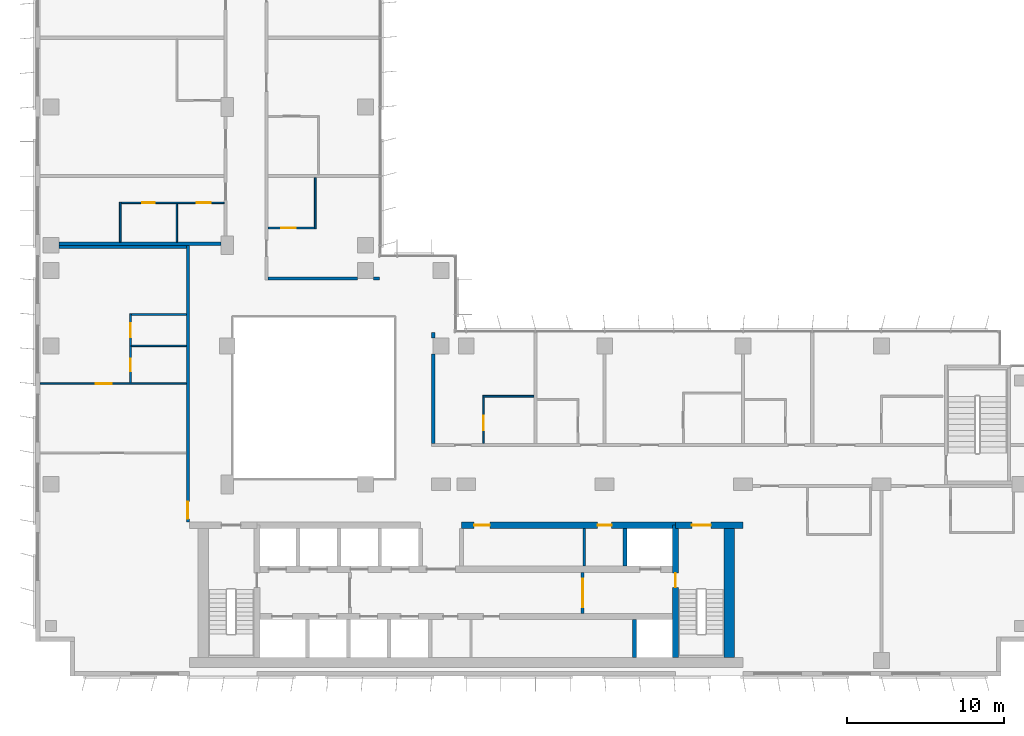
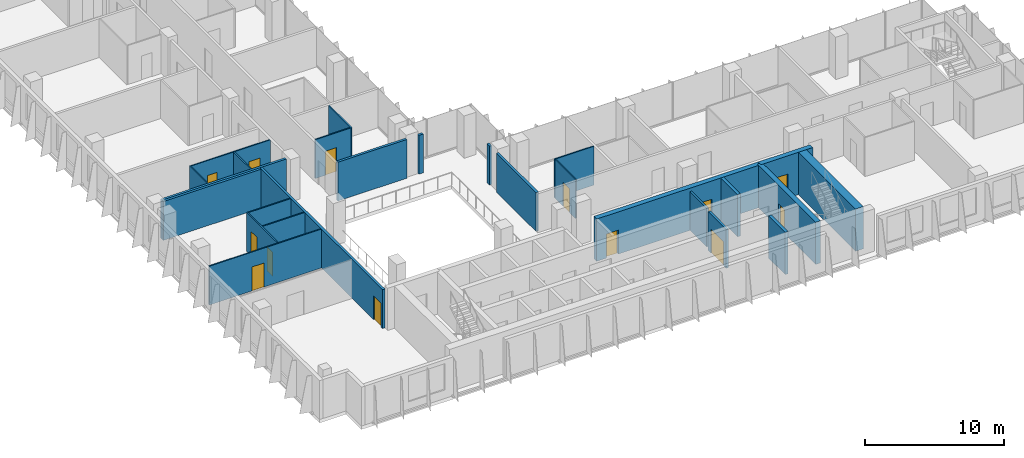
# One storey, part 13 of 20: 26 walls, 13 doors, 13 openings.
"""IFC4 building model written with IfcOpenShell, lengths in metres."""

from ifc_helpers import new_model, si_unit, direction, frame, frame_2d, origin, place, context, subcontext, project, spatial, rectangle, extrude, material, layer, layer_set, type_object, element, fill, save


model = new_model("IFC4")

# Units and contexts
model_context = context("Model", 3, precision=1e-05, world=origin(), true_north=direction((0.0, 1.0)))
body_context = subcontext(model_context, "Body", "Model", "MODEL_VIEW")
ifc_project = project(units=[si_unit("LENGTHUNIT", "METRE"), si_unit("AREAUNIT", "SQUARE_METRE"), si_unit("VOLUMEUNIT", "CUBIC_METRE"), si_unit("PLANEANGLEUNIT", "RADIAN"), si_unit("MASSUNIT", "GRAM", prefix="KILO")], contexts=[model_context])

# Site, building, storey
site_placement = place(None, origin())
site = spatial("IfcSite", under=ifc_project, at=site_placement, CompositionType="ELEMENT")
building_placement = place(site_placement, origin())
building = spatial("IfcBuilding", under=site, at=building_placement, Name="Kemantara Hotel Tower", CompositionType="ELEMENT")
storey_placement = place(building_placement, frame((0.0, 0.0, 186.39990234375)))
storey = spatial("IfcBuildingStorey", under=building, at=storey_placement, Name="L46", CompositionType="ELEMENT", Elevation=186.39990234375)

# Walls
ifc_material_1 = material(Name="Concrete fc 60 MPa", Category="concrete")
ifc_layer_1 = layer(ifc_material_1, 0.25)
ifc_layer_set_1 = layer_set([ifc_layer_1], Name="Concrete fc 60 MPa")
wall_type_1 = type_object("IfcWallType", Name="CORE WALL 250 FC60", PredefinedType="SHEAR", material=ifc_layer_set_1)
wall_1_placement = place(storey_placement, frame((38.10009765625, 1.199951171875, 0.0), z_axis=(0.0, 0.0, 1.0), x_axis=(0.0, 1.0, 0.0)))
element("IfcWall", 1, at=wall_1_placement, inside=storey, type_object=wall_type_1, Name="CORE WALL CW-DS38.1", PredefinedType="SHEAR", context=body_context, shape_type="SweptSolid", body=[
    extrude(rectangle(XDim=2.400146484375, YDim=0.25, at=frame_2d((1.2001953125, 0.0))), origin(), (0.0, 0.0, 1.0), 3.7001953125),
])
wall_2_placement = place(storey_placement, frame((37.5, 7.0, 0.0), z_axis=(0.0, 0.0, 1.0), x_axis=(0.0, 1.0, 0.0)))
element("IfcWall", 2, at=wall_2_placement, inside=storey, type_object=wall_type_1, Name="CORE WALL CW-DN37.5", PredefinedType="SHEAR", context=body_context, shape_type="SweptSolid", body=[
    extrude(rectangle(XDim=2.39990234375, YDim=0.25, at=frame_2d((1.199951171875, 0.0))), origin(), (0.0, 0.0, 1.0), 3.7001953125),
])

# Wall, opening, door
ifc_layer_2 = layer(ifc_material_1, 0.39990234375)
ifc_layer_set_2 = layer_set([ifc_layer_2], Name="Concrete fc 60 MPa")
wall_type_2 = type_object("IfcWallType", Name="CORE WALL 400 FC60", PredefinedType="SHEAR", material=ifc_layer_set_2)
wall_3_placement = place(storey_placement, frame((40.699951171875, 9.60009765625, 0.0), z_axis=(0.0, 0.0, 1.0), x_axis=(1.0, 0.0, 0.0)))
wall_3 = element("IfcWall", 3, at=wall_3_placement, inside=storey, type_object=wall_type_2, Name="CORE WALL CW-N2", PredefinedType="SHEAR", context=body_context, shape_type="SweptSolid", body=[
    extrude(rectangle(XDim=4.300048828125, YDim=0.39990234375, at=frame_2d((2.14990234375, 0.0))), origin(), (0.0, 0.0, 1.0), 3.7001953125),
])
opening_1_placement = place(wall_3_placement, frame((1.050048828125, 0.0, 0.0)))
opening_1 = element("IfcOpeningElement", 4, at=opening_1_placement, cuts=wall_3, Name="Opening C27-ST2-C", PredefinedType="OPENING", context=body_context, shape_type="SweptSolid", body=[
    extrude(rectangle(XDim=1.199951171875, YDim=2.10009765625, at=frame_2d((0.60009765625, 1.050048828125))), frame((0.0, 0.2099609375, 0.0), z_axis=(0.0, -1.0, 0.0), x_axis=(1.0, 0.0, 0.0)), (0.0, 0.0, 1.0), 0.419921875),
])
ifc_material_2 = material(Name="Steel fire door", Category="steel")
door_type_1 = type_object("IfcDoorType", Name="Fire door FD90 1200 x 2100", OperationType="NOTDEFINED", PredefinedType="DOOR", material=ifc_material_2)
door_1_placement = place(opening_1_placement, frame((1.199951171875, 0.0, 0.0), z_axis=(0.0, 0.0, 1.0), x_axis=(-1.0, 0.0, 0.0)))
door_1 = element("IfcDoor", 5, at=door_1_placement, inside=storey, type_object=door_type_1, Name="Stair ST2 door to corridor", OperationType="SINGLE_SWING_RIGHT", OverallHeight=2.10009765625, OverallWidth=1.199951171875, PredefinedType="DOOR", context=body_context, shape_type="SweptSolid", body=[
    extrude(rectangle(XDim=1.199951171875, YDim=2.10009765625, at=frame_2d((0.60009765625, 1.050048828125))), frame((0.0, 0.02490234375, 0.0), z_axis=(0.0, -1.0, 0.0), x_axis=(1.0, 0.0, 0.0)), (0.0, 0.0, 1.0), 0.050048828125),
])
fill(opening_1, door_1)

# Wall, openings, doors
wall_4_placement = place(storey_placement, frame((27.10009765625, 9.60009765625, 0.0), z_axis=(0.0, 0.0, 1.0), x_axis=(1.0, 0.0, 0.0)))
wall_4 = element("IfcWall", 6, at=wall_4_placement, inside=storey, type_object=wall_type_2, Name="CORE WALL CW-NN2", PredefinedType="SHEAR", context=body_context, shape_type="SweptSolid", body=[
    extrude(rectangle(XDim=13.599853515625, YDim=0.39990234375, at=frame_2d((6.7998046875, 0.0))), origin(), (0.0, 0.0, 1.0), 3.7001953125),
])
opening_2_placement = place(wall_4_placement, frame((0.800048828125, 0.0, 0.0)))
opening_2 = element("IfcOpeningElement", 7, at=opening_2_placement, cuts=wall_4, Name="Opening C27-R-NE1", PredefinedType="OPENING", context=body_context, shape_type="SweptSolid", body=[
    extrude(rectangle(XDim=1.0, YDim=2.10009765625, at=frame_2d((0.5, 1.050048828125))), frame((0.0, 0.2099609375, 0.0), z_axis=(0.0, -1.0, 0.0), x_axis=(1.0, 0.0, 0.0)), (0.0, 0.0, 1.0), 0.419921875),
])
opening_3_placement = place(wall_4_placement, frame((8.64990234375, 0.0, 0.0)))
opening_3 = element("IfcOpeningElement", 8, at=opening_3_placement, cuts=wall_4, Name="Opening C27-R-NE2", PredefinedType="OPENING", context=body_context, shape_type="SweptSolid", body=[
    extrude(rectangle(XDim=0.89990234375, YDim=2.10009765625, at=frame_2d((0.449951171875, 1.050048828125))), frame((0.0, 0.2099609375, 0.0), z_axis=(0.0, -1.0, 0.0), x_axis=(1.0, 0.0, 0.0)), (0.0, 0.0, 1.0), 0.419921875),
])
door_type_2 = type_object("IfcDoorType", Name="Fire door FD30S 1000 x 2100", OperationType="NOTDEFINED", PredefinedType="DOOR", material=ifc_material_2)
door_2_placement = place(opening_2_placement, frame((1.0, 0.0, 0.0), z_axis=(0.0, 0.0, 1.0), x_axis=(-1.0, 0.0, 0.0)))
door_2 = element("IfcDoor", 9, at=door_2_placement, inside=storey, type_object=door_type_2, Name="Housekeeping Store door", OperationType="SINGLE_SWING_RIGHT", OverallHeight=2.10009765625, OverallWidth=1.0, PredefinedType="DOOR", context=body_context, shape_type="SweptSolid", body=[
    extrude(rectangle(XDim=1.0, YDim=2.10009765625, at=frame_2d((0.5, 1.050048828125))), frame((0.0, 0.02490234375, 0.0), z_axis=(0.0, -1.0, 0.0), x_axis=(1.0, 0.0, 0.0)), (0.0, 0.0, 1.0), 0.050048828125),
])
fill(opening_2, door_2)
door_type_3 = type_object("IfcDoorType", Name="Fire door FD60 900 x 2100", OperationType="NOTDEFINED", PredefinedType="DOOR", material=ifc_material_2)
door_3_placement = place(opening_3_placement, frame((0.89990234375, 0.0, 0.0), z_axis=(0.0, 0.0, 1.0), x_axis=(-1.0, 0.0, 0.0)))
door_3 = element("IfcDoor", 10, at=door_3_placement, inside=storey, type_object=door_type_3, Name="It Equipment Room door", OperationType="SINGLE_SWING_LEFT", OverallHeight=2.10009765625, OverallWidth=0.89990234375, PredefinedType="DOOR", context=body_context, shape_type="SweptSolid", body=[
    extrude(rectangle(XDim=0.89990234375, YDim=2.10009765625, at=frame_2d((0.449951171875, 1.050048828125))), frame((0.0, 0.02490234375, 0.0), z_axis=(0.0, -1.0, 0.0), x_axis=(1.0, 0.0, 0.0)), (0.0, 0.0, 1.0), 0.050048828125),
])
fill(opening_3, door_3)

# Wall, opening, door
wall_5_placement = place(storey_placement, frame((40.699951171875, 1.199951171875, 0.0), z_axis=(0.0, 0.0, 1.0), x_axis=(0.0, 1.0, 0.0)))
wall_5 = element("IfcWall", 11, at=wall_5_placement, inside=storey, type_object=wall_type_2, Name="CORE WALL CW-ST2W", PredefinedType="SHEAR", context=body_context, shape_type="SweptSolid", body=[
    extrude(rectangle(XDim=8.400146484375, YDim=0.39990234375, at=frame_2d((4.2001953125, 0.0))), origin(), (0.0, 0.0, 1.0), 3.7001953125),
])
opening_4_placement = place(wall_5_placement, frame((4.449951171875, 0.0, 0.0)))
opening_4 = element("IfcOpeningElement", 12, at=opening_4_placement, cuts=wall_5, Name="Opening C27-ST2-F", PredefinedType="OPENING", context=body_context, shape_type="SweptSolid", body=[
    extrude(rectangle(XDim=0.89990234375, YDim=2.10009765625, at=frame_2d((0.449951171875, 1.050048828125))), frame((0.0, 0.2099609375, 0.0), z_axis=(0.0, -1.0, 0.0), x_axis=(1.0, 0.0, 0.0)), (0.0, 0.0, 1.0), 0.419921875),
])
door_type_4 = type_object("IfcDoorType", Name="Fire door FD90 900 x 2100", OperationType="NOTDEFINED", PredefinedType="DOOR", material=ifc_material_2)
door_4_placement = place(opening_4_placement, frame((0.89990234375, 0.0, 0.0), z_axis=(0.0, 0.0, 1.0), x_axis=(-1.0, 0.0, 0.0)))
door_4 = element("IfcDoor", 13, at=door_4_placement, inside=storey, type_object=door_type_4, Name="Stair ST2 door to firefighting lobby", OperationType="SINGLE_SWING_LEFT", OverallHeight=2.10009765625, OverallWidth=0.89990234375, PredefinedType="DOOR", context=body_context, shape_type="SweptSolid", body=[
    extrude(rectangle(XDim=0.89990234375, YDim=2.10009765625, at=frame_2d((0.449951171875, 1.050048828125))), frame((0.0, 0.02490234375, 0.0), z_axis=(0.0, -1.0, 0.0), x_axis=(1.0, 0.0, 0.0)), (0.0, 0.0, 1.0), 0.050048828125),
])
fill(opening_4, door_4)

# Wall
ifc_layer_3 = layer(ifc_material_1, 0.64990234375)
ifc_layer_set_3 = layer_set([ifc_layer_3], Name="Concrete fc 60 MPa")
wall_type_3 = type_object("IfcWallType", Name="CORE WALL 650 FC60", PredefinedType="SHEAR", material=ifc_layer_set_3)
wall_6_placement = place(storey_placement, frame((44.125, 1.199951171875, 0.0), z_axis=(0.0, 0.0, 1.0), x_axis=(0.0, 1.0, 0.0)))
element("IfcWall", 14, at=wall_6_placement, inside=storey, type_object=wall_type_3, Name="CORE WALL CW-E", PredefinedType="SHEAR", context=body_context, shape_type="SweptSolid", body=[
    extrude(rectangle(XDim=8.60009765625, YDim=0.64990234375, at=frame_2d((4.300048828125, 0.0))), origin(), (0.0, 0.0, 1.0), 3.7001953125),
])

# Wall, opening, door
ifc_material_3 = material(Name="Gypsum board partition, steel studs and mineral wool, 200 mm", Category="steel")
ifc_layer_4 = layer(ifc_material_3, 0.199951171875)
ifc_layer_set_4 = layer_set([ifc_layer_4], Name="Gypsum board partition, steel studs and mineral wool, 200 mm")
wall_type_4 = type_object("IfcWallType", Name="CORRIDOR WALL 200", PredefinedType="PARTITIONING", material=ifc_layer_set_4)
wall_7_placement = place(storey_placement, frame((9.699951171875, 9.800048828125, 0.0), z_axis=(0.0, 0.0, 1.0), x_axis=(0.0, 1.0, 0.0)))
wall_7 = element("IfcWall", 15, at=wall_7_placement, inside=storey, type_object=wall_type_4, Name="CORRIDOR WALL 200 012", PredefinedType="PARTITIONING", context=body_context, shape_type="SweptSolid", body=[
    extrude(rectangle(XDim=17.599853515625, YDim=0.199951171875, at=frame_2d((8.7998046875, 0.0))), origin(), (0.0, 0.0, 1.0), 3.400146484375),
])
opening_5_placement = place(wall_7_placement, frame((0.199951171875, 0.0, 0.0)))
opening_5 = element("IfcOpeningElement", 16, at=opening_5_placement, cuts=wall_7, Name="Opening F22-015", PredefinedType="OPENING", context=body_context, shape_type="SweptSolid", body=[
    extrude(rectangle(XDim=1.10009765625, YDim=2.10009765625, at=frame_2d((0.550048828125, 1.050048828125))), frame((0.0, 0.10986328125, 0.0), z_axis=(0.0, -1.0, 0.0), x_axis=(1.0, 0.0, 0.0)), (0.0, 0.0, 1.0), 0.219970703125),
])
ifc_material_4 = material(Name="Hardwood veneer door leaf with steel frame", Category="steel")
door_type_5 = type_object("IfcDoorType", Name="SUITE ENTRANCE DOOR 1100 X 2100 FD30S", OperationType="NOTDEFINED", PredefinedType="DOOR", material=ifc_material_4)
door_5_placement = place(opening_5_placement, origin())
door_5 = element("IfcDoor", 17, at=door_5_placement, inside=storey, type_object=door_type_5, Name="SUITE ENTRANCE DOOR F22-015", OperationType="SINGLE_SWING_LEFT", OverallHeight=2.10009765625, OverallWidth=1.10009765625, PredefinedType="DOOR", context=body_context, shape_type="SweptSolid", body=[
    extrude(rectangle(XDim=1.10009765625, YDim=2.10009765625, at=frame_2d((0.550048828125, 1.050048828125))), frame((0.0, 0.02490234375, 0.0), z_axis=(0.0, -1.0, 0.0), x_axis=(1.0, 0.0, 0.0)), (0.0, 0.0, 1.0), 0.050048828125),
])
fill(opening_5, door_5)

# Walls
ifc_layer_5 = layer(ifc_material_3, 0.199951171875)
ifc_layer_set_5 = layer_set([ifc_layer_5], Name="Gypsum board partition, steel studs and mineral wool, 200 mm")
wall_type_5 = type_object("IfcWallType", Name="GUEST ROOM PARTY WALL 200", PredefinedType="PARTITIONING", material=ifc_layer_set_5)
wall_8_placement = place(storey_placement, frame((25.300048828125, 14.800048828125, 0.0), z_axis=(0.0, 0.0, 1.0), x_axis=(0.0, 1.0, 0.0)))
element("IfcWall", 18, at=wall_8_placement, inside=storey, type_object=wall_type_5, Name="GUEST ROOM PARTY WALL 200 006", PredefinedType="PARTITIONING", context=body_context, shape_type="SweptSolid", body=[
    extrude(rectangle(XDim=5.699951171875, YDim=0.199951171875, at=frame_2d((2.85009765625, 0.0))), origin(), (0.0, 0.0, 1.0), 3.400146484375),
])
wall_9_placement = place(storey_placement, frame((25.300048828125, 21.5, 0.0), z_axis=(0.0, 0.0, 1.0), x_axis=(0.0, 1.0, 0.0)))
element("IfcWall", 19, at=wall_9_placement, inside=storey, type_object=wall_type_5, Name="GUEST ROOM PARTY WALL 200 007", PredefinedType="PARTITIONING", context=body_context, shape_type="SweptSolid", body=[
    extrude(rectangle(XDim=0.3701171875, YDim=0.199951171875, at=frame_2d((0.18505859375, 0.0))), origin(), (0.0, 0.0, 1.0), 3.400146484375),
])
wall_10_placement = place(storey_placement, frame((1.5, 27.300048828125, 0.0), z_axis=(0.0, 0.0, 1.0), x_axis=(1.0, 0.0, 0.0)))
element("IfcWall", 20, at=wall_10_placement, inside=storey, type_object=wall_type_5, Name="GUEST ROOM PARTY WALL 200 013", PredefinedType="PARTITIONING", context=body_context, shape_type="SweptSolid", body=[
    extrude(rectangle(XDim=8.10009765625, YDim=0.199951171875, at=frame_2d((4.050048828125, 0.0))), origin(), (0.0, 0.0, 1.0), 3.400146484375),
])
wall_11_placement = place(storey_placement, frame((1.5, 27.5, 0.0), z_axis=(0.0, 0.0, 1.0), x_axis=(1.0, 0.0, 0.0)))
element("IfcWall", 21, at=wall_11_placement, inside=storey, type_object=wall_type_5, Name="GUEST ROOM PARTY WALL 200 018", PredefinedType="PARTITIONING", context=body_context, shape_type="SweptSolid", body=[
    extrude(rectangle(XDim=10.2998046875, YDim=0.199951171875, at=frame_2d((5.14990234375, 0.0))), origin(), (0.0, 0.0, 1.0), 3.400146484375),
])
wall_12_placement = place(storey_placement, frame((14.800048828125, 25.300048828125, 0.0), z_axis=(0.0, 0.0, 1.0), x_axis=(1.0, 0.0, 0.0)))
element("IfcWall", 22, at=wall_12_placement, inside=storey, type_object=wall_type_5, Name="GUEST ROOM PARTY WALL 200 026", PredefinedType="PARTITIONING", context=body_context, shape_type="SweptSolid", body=[
    extrude(rectangle(XDim=5.699951171875, YDim=0.199951171875, at=frame_2d((2.85009765625, 0.0))), origin(), (0.0, 0.0, 1.0), 3.400146484375),
])
wall_13_placement = place(storey_placement, frame((21.5, 25.300048828125, 0.0), z_axis=(0.0, 0.0, 1.0), x_axis=(1.0, 0.0, 0.0)))
element("IfcWall", 23, at=wall_13_placement, inside=storey, type_object=wall_type_5, Name="GUEST ROOM PARTY WALL 200 027", PredefinedType="PARTITIONING", context=body_context, shape_type="SweptSolid", body=[
    extrude(rectangle(XDim=0.3701171875, YDim=0.199951171875, at=frame_2d((0.18505859375, 0.0))), origin(), (0.0, 0.0, 1.0), 3.400146484375),
])
ifc_material_5 = material(Name="Gypsum board partition")
ifc_layer_6 = layer(ifc_material_5, 0.14990234375)
ifc_layer_set_6 = layer_set([ifc_layer_6], Name="Gypsum board partition")
wall_type_6 = type_object("IfcWallType", Name="Gypsum board partition 150 mm", PredefinedType="PARTITIONING", material=ifc_layer_set_6)
wall_14_placement = place(storey_placement, frame((34.89990234375, 7.0, 0.0), z_axis=(0.0, 0.0, 1.0), x_axis=(0.0, 1.0, 0.0)))
element("IfcWall", 24, at=wall_14_placement, inside=storey, type_object=wall_type_6, Name="Core room partition", PredefinedType="PARTITIONING", context=body_context, shape_type="SweptSolid", body=[
    extrude(rectangle(XDim=2.39990234375, YDim=0.14990234375, at=frame_2d((1.199951171875, 0.0))), origin(), (0.0, 0.0, 1.0), 3.400146484375),
])

# Wall, opening, door
ifc_material_6 = material(Name="Gypsum board shaft wall")
ifc_layer_7 = layer(ifc_material_6, 0.199951171875)
ifc_layer_set_7 = layer_set([ifc_layer_7], Name="Gypsum board shaft wall")
wall_type_7 = type_object("IfcWallType", Name="Gypsum board shaft wall 200 mm", PredefinedType="PARTITIONING", material=ifc_layer_set_7)
wall_15_placement = place(storey_placement, frame((34.800048828125, 4.0, 0.0), z_axis=(0.0, 0.0, 1.0), x_axis=(0.0, 1.0, 0.0)))
wall_15 = element("IfcWall", 25, at=wall_15_placement, inside=storey, type_object=wall_type_7, Name="Firefighting lobby partition east", PredefinedType="PARTITIONING", context=body_context, shape_type="SweptSolid", body=[
    extrude(rectangle(XDim=2.60009765625, YDim=0.199951171875, at=frame_2d((1.300048828125, 0.0))), origin(), (0.0, 0.0, 1.0), 3.400146484375),
])
opening_6_placement = place(wall_15_placement, frame((0.39990234375, 0.0, 0.0)))
opening_6 = element("IfcOpeningElement", 26, at=opening_6_placement, cuts=wall_15, Name="Opening C27-FFE", PredefinedType="OPENING", context=body_context, shape_type="SweptSolid", body=[
    extrude(rectangle(XDim=1.800048828125, YDim=2.10009765625, at=frame_2d((0.89990234375, 1.050048828125))), frame((0.0, 0.10986328125, 0.0), z_axis=(0.0, -1.0, 0.0), x_axis=(1.0, 0.0, 0.0)), (0.0, 0.0, 1.0), 0.219970703125),
])
door_type_6 = type_object("IfcDoorType", Name="Fire door pair FD60 1800 x 2100", OperationType="DOUBLE_DOOR_SINGLE_SWING", PredefinedType="DOOR", material=ifc_material_2)
door_6_placement = place(opening_6_placement, frame((1.800048828125, 0.0, 0.0), z_axis=(0.0, 0.0, 1.0), x_axis=(-1.0, 0.0, 0.0)))
door_6 = element("IfcDoor", 27, at=door_6_placement, inside=storey, type_object=door_type_6, Name="Firefighting lobby door east", OperationType="DOUBLE_DOOR_SINGLE_SWING", OverallHeight=2.10009765625, OverallWidth=1.800048828125, PredefinedType="DOOR", context=body_context, shape_type="SweptSolid", body=[
    extrude(rectangle(XDim=1.800048828125, YDim=2.10009765625, at=frame_2d((0.89990234375, 1.050048828125))), frame((0.0, 0.02490234375, 0.0), z_axis=(0.0, -1.0, 0.0), x_axis=(1.0, 0.0, 0.0)), (0.0, 0.0, 1.0), 0.050048828125),
])
fill(opening_6, door_6)

# Wall
ifc_material_7 = material(Name="Gypsum board partition on steel studs, 100 mm", Category="steel")
ifc_layer_8 = layer(ifc_material_7, 0.10009765625)
ifc_layer_set_8 = layer_set([ifc_layer_8], Name="Gypsum board partition on steel studs, 100 mm")
wall_type_8 = type_object("IfcWallType", Name="ROOM PARTITION 100", PredefinedType="PARTITIONING", material=ifc_layer_set_8)
wall_16_placement = place(storey_placement, frame((28.449951171875, 17.800048828125, 0.0), z_axis=(0.0, 0.0, 1.0), x_axis=(1.0, 0.0, 0.0)))
element("IfcWall", 28, at=wall_16_placement, inside=storey, type_object=wall_type_8, Name="ROOM PARTITION 100 035", PredefinedType="PARTITIONING", context=body_context, shape_type="SweptSolid", body=[
    extrude(rectangle(XDim=3.25, YDim=0.10009765625, at=frame_2d((1.625, 0.0))), origin(), (0.0, 0.0, 1.0), 3.400146484375),
])

# Wall, opening, door
wall_17_placement = place(storey_placement, frame((28.5, 17.75, 0.0), z_axis=(0.0, 0.0, 1.0), x_axis=(0.0, -1.0, 0.0)))
wall_17 = element("IfcWall", 29, at=wall_17_placement, inside=storey, type_object=wall_type_8, Name="ROOM PARTITION 100 037", PredefinedType="PARTITIONING", context=body_context, shape_type="SweptSolid", body=[
    extrude(rectangle(XDim=2.949951171875, YDim=0.10009765625, at=frame_2d((1.47509765625, 0.0))), origin(), (0.0, 0.0, 1.0), 3.400146484375),
])
opening_7_placement = place(wall_17_placement, frame((1.199951171875, 0.0, 0.0)))
opening_7 = element("IfcOpeningElement", 30, at=opening_7_placement, cuts=wall_17, Name="Opening F22-006", PredefinedType="OPENING", context=body_context, shape_type="SweptSolid", body=[
    extrude(rectangle(XDim=0.89990234375, YDim=2.10009765625, at=frame_2d((0.449951171875, 1.050048828125))), frame((0.0, 0.06005859375, 0.0), z_axis=(0.0, -1.0, 0.0), x_axis=(1.0, 0.0, 0.0)), (0.0, 0.0, 1.0), 0.1201171875),
])
door_type_7 = type_object("IfcDoorType", Name="BATHROOM DOOR 900 X 2100", OperationType="NOTDEFINED", PredefinedType="DOOR", material=ifc_material_4)
door_7_placement = place(opening_7_placement, origin())
door_7 = element("IfcDoor", 31, at=door_7_placement, inside=storey, type_object=door_type_7, Name="BATHROOM DOOR F22-006", OperationType="SINGLE_SWING_RIGHT", OverallHeight=2.10009765625, OverallWidth=0.89990234375, PredefinedType="DOOR", context=body_context, shape_type="SweptSolid", body=[
    extrude(rectangle(XDim=0.89990234375, YDim=2.10009765625, at=frame_2d((0.449951171875, 1.050048828125))), frame((0.0, 0.02490234375, 0.0), z_axis=(0.0, -1.0, 0.0), x_axis=(1.0, 0.0, 0.0)), (0.0, 0.0, 1.0), 0.050048828125),
])
fill(opening_7, door_7)

# Wall, openings, doors
wall_18_placement = place(storey_placement, frame((6.050048828125, 23.050048828125, 0.0), z_axis=(0.0, 0.0, 1.0), x_axis=(0.0, -1.0, 0.0)))
wall_18 = element("IfcWall", 32, at=wall_18_placement, inside=storey, type_object=wall_type_8, Name="ROOM PARTITION 100 045", PredefinedType="PARTITIONING", context=body_context, shape_type="SweptSolid", body=[
    extrude(rectangle(XDim=4.400146484375, YDim=0.10009765625, at=frame_2d((2.2001953125, 0.0))), origin(), (0.0, 0.0, 1.0), 3.400146484375),
])
opening_8_placement = place(wall_18_placement, frame((0.60009765625, 0.0, 0.0)))
opening_8 = element("IfcOpeningElement", 33, at=opening_8_placement, cuts=wall_18, Name="Opening F22-018", PredefinedType="OPENING", context=body_context, shape_type="SweptSolid", body=[
    extrude(rectangle(XDim=0.89990234375, YDim=2.10009765625, at=frame_2d((0.449951171875, 1.050048828125))), frame((0.0, 0.06005859375, 0.0), z_axis=(0.0, -1.0, 0.0), x_axis=(1.0, 0.0, 0.0)), (0.0, 0.0, 1.0), 0.1201171875),
])
opening_9_placement = place(wall_18_placement, frame((2.85009765625, 0.0, 0.0)))
opening_9 = element("IfcOpeningElement", 34, at=opening_9_placement, cuts=wall_18, Name="Opening F22-019", PredefinedType="OPENING", context=body_context, shape_type="SweptSolid", body=[
    extrude(rectangle(XDim=0.800048828125, YDim=2.10009765625, at=frame_2d((0.39990234375, 1.050048828125))), frame((0.0, 0.06005859375, 0.0), z_axis=(0.0, -1.0, 0.0), x_axis=(1.0, 0.0, 0.0)), (0.0, 0.0, 1.0), 0.1201171875),
])
door_8_placement = place(opening_8_placement, origin())
door_8 = element("IfcDoor", 35, at=door_8_placement, inside=storey, type_object=door_type_7, Name="BATHROOM DOOR F22-018", OperationType="SINGLE_SWING_RIGHT", OverallHeight=2.10009765625, OverallWidth=0.89990234375, PredefinedType="DOOR", context=body_context, shape_type="SweptSolid", body=[
    extrude(rectangle(XDim=0.89990234375, YDim=2.10009765625, at=frame_2d((0.449951171875, 1.050048828125))), frame((0.0, 0.02490234375, 0.0), z_axis=(0.0, -1.0, 0.0), x_axis=(1.0, 0.0, 0.0)), (0.0, 0.0, 1.0), 0.050048828125),
])
fill(opening_8, door_8)
door_type_8 = type_object("IfcDoorType", Name="WARDROBE DOOR 800 X 2100", OperationType="NOTDEFINED", PredefinedType="DOOR", material=ifc_material_4)
door_9_placement = place(opening_9_placement, origin())
door_9 = element("IfcDoor", 36, at=door_9_placement, inside=storey, type_object=door_type_8, Name="WARDROBE DOOR F22-019", OperationType="SINGLE_SWING_RIGHT", OverallHeight=2.10009765625, OverallWidth=0.800048828125, PredefinedType="DOOR", context=body_context, shape_type="SweptSolid", body=[
    extrude(rectangle(XDim=0.800048828125, YDim=2.10009765625, at=frame_2d((0.39990234375, 1.050048828125))), frame((0.0, 0.02490234375, 0.0), z_axis=(0.0, -1.0, 0.0), x_axis=(1.0, 0.0, 0.0)), (0.0, 0.0, 1.0), 0.050048828125),
])
fill(opening_9, door_9)

# Wall, opening, door
wall_19_placement = place(storey_placement, frame((0.31005859375, 18.60009765625, 0.0), z_axis=(0.0, 0.0, 1.0), x_axis=(1.0, 0.0, 0.0)))
wall_19 = element("IfcWall", 37, at=wall_19_placement, inside=storey, type_object=wall_type_8, Name="ROOM PARTITION 100 047", PredefinedType="PARTITIONING", context=body_context, shape_type="SweptSolid", body=[
    extrude(rectangle(XDim=9.2900390625, YDim=0.10009765625, at=frame_2d((4.64501953125, 0.0))), origin(), (0.0, 0.0, 1.0), 3.400146484375),
])
opening_10_placement = place(wall_19_placement, frame((3.5400390625, 0.0, 0.0)))
opening_10 = element("IfcOpeningElement", 38, at=opening_10_placement, cuts=wall_19, Name="Opening F22-017", PredefinedType="OPENING", context=body_context, shape_type="SweptSolid", body=[
    extrude(rectangle(XDim=1.0, YDim=2.10009765625, at=frame_2d((0.5, 1.050048828125))), frame((0.0, 0.06005859375, 0.0), z_axis=(0.0, -1.0, 0.0), x_axis=(1.0, 0.0, 0.0)), (0.0, 0.0, 1.0), 0.1201171875),
])
door_type_9 = type_object("IfcDoorType", Name="INTERNAL DOOR 1000 X 2100", OperationType="NOTDEFINED", PredefinedType="DOOR", material=ifc_material_4)
door_10_placement = place(opening_10_placement, origin())
door_10 = element("IfcDoor", 39, at=door_10_placement, inside=storey, type_object=door_type_9, Name="INTERNAL DOOR F22-017", OperationType="SINGLE_SWING_RIGHT", OverallHeight=2.10009765625, OverallWidth=1.0, PredefinedType="DOOR", context=body_context, shape_type="SweptSolid", body=[
    extrude(rectangle(XDim=1.0, YDim=2.10009765625, at=frame_2d((0.5, 1.050048828125))), frame((0.0, 0.02490234375, 0.0), z_axis=(0.0, -1.0, 0.0), x_axis=(1.0, 0.0, 0.0)), (0.0, 0.0, 1.0), 0.050048828125),
])
fill(opening_10, door_10)

# Walls
for number, where, z_axis, x_axis, name in (
    (40, (6.10009765625, 23.0, 0.0), (0.0, 0.0, 1.0), (1.0, 0.0, 0.0), "ROOM PARTITION 100 048"),
    (41, (6.10009765625, 21.0, 0.0), (0.0, 0.0, 1.0), (1.0, 0.0, 0.0), "ROOM PARTITION 100 049"),
):
    element("IfcWall", number, at=place(storey_placement, frame(where, z_axis=z_axis, x_axis=x_axis)), inside=storey, type_object=wall_type_8, Name=name, PredefinedType="PARTITIONING", context=body_context, shape_type="SweptSolid", body=[
        extrude(rectangle(XDim=3.5, YDim=0.10009765625, at=frame_2d((1.75, 0.0))), origin(), (0.0, 0.0, 1.0), 3.400146484375),
    ])
wall_20_placement = place(storey_placement, frame((5.39990234375, 27.60009765625, 0.0), z_axis=(0.0, 0.0, 1.0), x_axis=(0.0, 1.0, 0.0)))
element("IfcWall", 42, at=wall_20_placement, inside=storey, type_object=wall_type_8, Name="ROOM PARTITION 100 050", PredefinedType="PARTITIONING", context=body_context, shape_type="SweptSolid", body=[
    extrude(rectangle(XDim=2.5498046875, YDim=0.10009765625, at=frame_2d((1.27490234375, 0.0))), origin(), (0.0, 0.0, 1.0), 3.400146484375),
])
wall_21_placement = place(storey_placement, frame((9.0, 27.60009765625, 0.0), z_axis=(0.0, 0.0, 1.0), x_axis=(0.0, 1.0, 0.0)))
element("IfcWall", 43, at=wall_21_placement, inside=storey, type_object=wall_type_8, Name="ROOM PARTITION 100 051", PredefinedType="PARTITIONING", context=body_context, shape_type="SweptSolid", body=[
    extrude(rectangle(XDim=2.449951171875, YDim=0.10009765625, at=frame_2d((1.22509765625, 0.0))), origin(), (0.0, 0.0, 1.0), 3.400146484375),
])

# Wall, openings, doors
wall_22_placement = place(storey_placement, frame((12.0, 30.10009765625, 0.0), z_axis=(0.0, 0.0, 1.0), x_axis=(-1.0, 0.0, 0.0)))
wall_22 = element("IfcWall", 44, at=wall_22_placement, inside=storey, type_object=wall_type_8, Name="ROOM PARTITION 100 055", PredefinedType="PARTITIONING", context=body_context, shape_type="SweptSolid", body=[
    extrude(rectangle(XDim=6.550048828125, YDim=0.10009765625, at=frame_2d((3.27490234375, 0.0))), origin(), (0.0, 0.0, 1.0), 3.400146484375),
])
opening_11_placement = place(wall_22_placement, frame((0.85009765625, 0.0, 0.0)))
opening_11 = element("IfcOpeningElement", 45, at=opening_11_placement, cuts=wall_22, Name="Opening F22-021", PredefinedType="OPENING", context=body_context, shape_type="SweptSolid", body=[
    extrude(rectangle(XDim=0.89990234375, YDim=2.10009765625, at=frame_2d((0.449951171875, 1.050048828125))), frame((0.0, 0.06005859375, 0.0), z_axis=(0.0, -1.0, 0.0), x_axis=(1.0, 0.0, 0.0)), (0.0, 0.0, 1.0), 0.1201171875),
])
opening_12_placement = place(wall_22_placement, frame((4.39990234375, 0.0, 0.0)))
opening_12 = element("IfcOpeningElement", 46, at=opening_12_placement, cuts=wall_22, Name="Opening F22-022", PredefinedType="OPENING", context=body_context, shape_type="SweptSolid", body=[
    extrude(rectangle(XDim=0.800048828125, YDim=2.10009765625, at=frame_2d((0.39990234375, 1.050048828125))), frame((0.0, 0.06005859375, 0.0), z_axis=(0.0, -1.0, 0.0), x_axis=(1.0, 0.0, 0.0)), (0.0, 0.0, 1.0), 0.1201171875),
])
door_11_placement = place(opening_11_placement, origin())
door_11 = element("IfcDoor", 47, at=door_11_placement, inside=storey, type_object=door_type_7, Name="BATHROOM DOOR F22-021", OperationType="SINGLE_SWING_LEFT", OverallHeight=2.10009765625, OverallWidth=0.89990234375, PredefinedType="DOOR", context=body_context, shape_type="SweptSolid", body=[
    extrude(rectangle(XDim=0.89990234375, YDim=2.10009765625, at=frame_2d((0.449951171875, 1.050048828125))), frame((0.0, 0.02490234375, 0.0), z_axis=(0.0, -1.0, 0.0), x_axis=(1.0, 0.0, 0.0)), (0.0, 0.0, 1.0), 0.050048828125),
])
fill(opening_11, door_11)
door_type_10 = type_object("IfcDoorType", Name="INTERNAL DOOR 800 X 2100", OperationType="NOTDEFINED", PredefinedType="DOOR", material=ifc_material_4)
door_12_placement = place(opening_12_placement, origin())
door_12 = element("IfcDoor", 48, at=door_12_placement, inside=storey, type_object=door_type_10, Name="INTERNAL DOOR F22-022", OperationType="SINGLE_SWING_LEFT", OverallHeight=2.10009765625, OverallWidth=0.800048828125, PredefinedType="DOOR", context=body_context, shape_type="SweptSolid", body=[
    extrude(rectangle(XDim=0.800048828125, YDim=2.10009765625, at=frame_2d((0.39990234375, 1.050048828125))), frame((0.0, 0.02490234375, 0.0), z_axis=(0.0, -1.0, 0.0), x_axis=(1.0, 0.0, 0.0)), (0.0, 0.0, 1.0), 0.050048828125),
])
fill(opening_12, door_12)

# Wall
wall_23_placement = place(storey_placement, frame((17.800048828125, 28.449951171875, 0.0), z_axis=(0.0, 0.0, 1.0), x_axis=(0.0, 1.0, 0.0)))
element("IfcWall", 49, at=wall_23_placement, inside=storey, type_object=wall_type_8, Name="ROOM PARTITION 100 059", PredefinedType="PARTITIONING", context=body_context, shape_type="SweptSolid", body=[
    extrude(rectangle(XDim=3.25, YDim=0.10009765625, at=frame_2d((1.625, 0.0))), origin(), (0.0, 0.0, 1.0), 3.400146484375),
])

# Wall, opening, door
wall_24_placement = place(storey_placement, frame((14.800048828125, 28.5, 0.0), z_axis=(0.0, 0.0, 1.0), x_axis=(1.0, 0.0, 0.0)))
wall_24 = element("IfcWall", 50, at=wall_24_placement, inside=storey, type_object=wall_type_8, Name="ROOM PARTITION 100 060", PredefinedType="PARTITIONING", context=body_context, shape_type="SweptSolid", body=[
    extrude(rectangle(XDim=2.949951171875, YDim=0.10009765625, at=frame_2d((1.47509765625, 0.0))), origin(), (0.0, 0.0, 1.0), 3.400146484375),
])
opening_13_placement = place(wall_24_placement, frame((0.85009765625, 0.0, 0.0)))
opening_13 = element("IfcOpeningElement", 51, at=opening_13_placement, cuts=wall_24, Name="Opening F22-030", PredefinedType="OPENING", context=body_context, shape_type="SweptSolid", body=[
    extrude(rectangle(XDim=0.89990234375, YDim=2.10009765625, at=frame_2d((0.449951171875, 1.050048828125))), frame((0.0, 0.06005859375, 0.0), z_axis=(0.0, -1.0, 0.0), x_axis=(1.0, 0.0, 0.0)), (0.0, 0.0, 1.0), 0.1201171875),
])
door_13_placement = place(opening_13_placement, origin())
door_13 = element("IfcDoor", 52, at=door_13_placement, inside=storey, type_object=door_type_7, Name="BATHROOM DOOR F22-030", OperationType="SINGLE_SWING_LEFT", OverallHeight=2.10009765625, OverallWidth=0.89990234375, PredefinedType="DOOR", context=body_context, shape_type="SweptSolid", body=[
    extrude(rectangle(XDim=0.89990234375, YDim=2.10009765625, at=frame_2d((0.449951171875, 1.050048828125))), frame((0.0, 0.02490234375, 0.0), z_axis=(0.0, -1.0, 0.0), x_axis=(1.0, 0.0, 0.0)), (0.0, 0.0, 1.0), 0.050048828125),
])
fill(opening_13, door_13)

save(model, "model.ifc")
